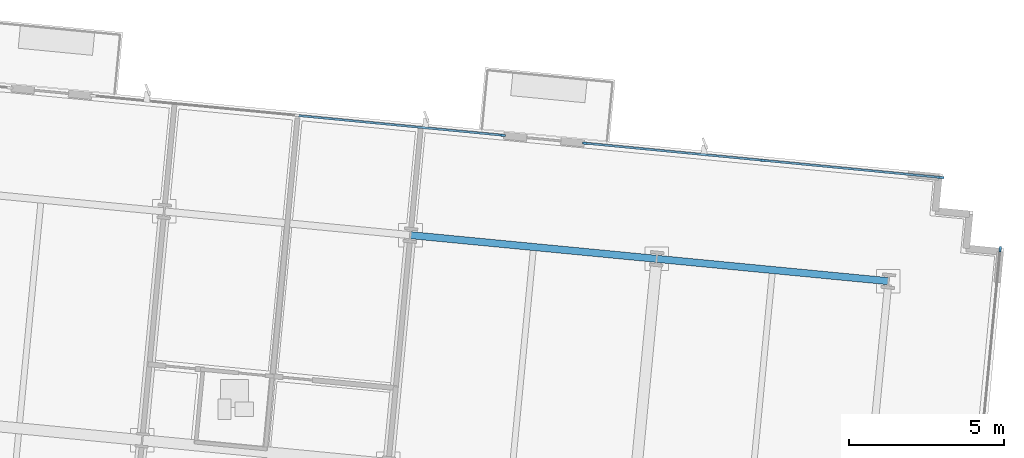
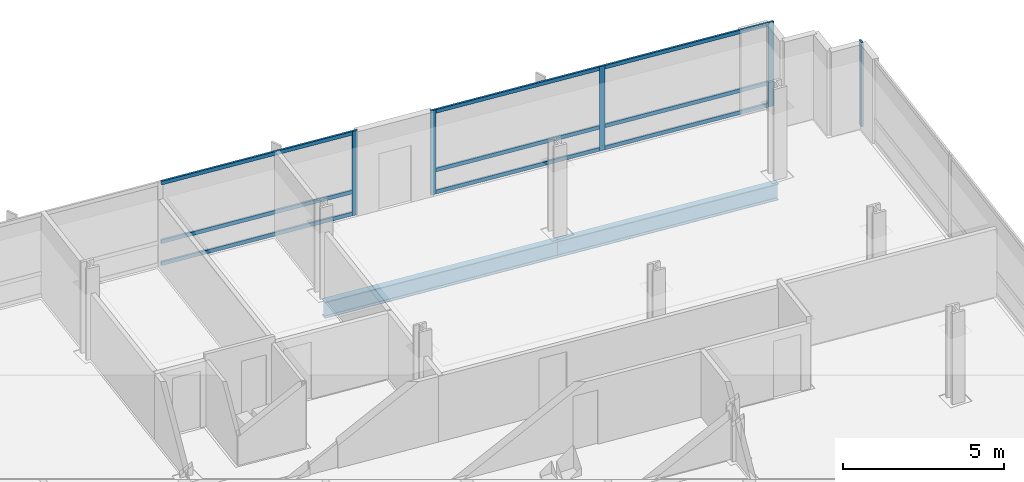
# One storey, part 8 of 17: 14 members, 2 beams, 3 elements without a shape of their own.
"""IFC4 building model written with IfcOpenShell, lengths in metres."""

import ifcopenshell
import ifcopenshell.guid

model = None  # the IFC model being written
_history = None  # IfcOwnerHistory: only IFC2X3 demands one
_inside = {}  # id of a spatial element -> (the spatial element, [elements in it])
_under = {}  # id of a project, library or spatial element -> (it, [spatial elements below it])
_declared = {}  # id of a project -> (the project, [libraries it declares])
_typed = {}  # id of a type object -> (the type object, [elements of that type])
_made_of = {}  # id of a material, layer set ... -> (it, [elements and type objects made of it])


def new_model(schema):
    """Start an empty IFC model of exactly this schema.

    Asked for "IFC4X3", IfcOpenShell would pick the latest addendum, in which some entities
    have other attributes; the version numbers below select the first issue.
    IFC2X3 requires an IfcOwnerHistory on every rooted entity: one is made here for all.
    """
    global model, _history
    if schema == "IFC4X3":
        model = ifcopenshell.file(schema_version=(4, 3, 0, 0))
    else:
        model = ifcopenshell.file(schema=schema)
    _inside.clear()
    _under.clear()
    _declared.clear()
    _typed.clear()
    _made_of.clear()
    _history = None
    if model.schema == "IFC2X3":
        org = make("IfcOrganization", Name="unknown")
        user = make(
            "IfcPersonAndOrganization",
            ThePerson=make("IfcPerson", FamilyName="unknown"),
            TheOrganization=org,
        )
        app = make(
            "IfcApplication",
            ApplicationDeveloper=org,
            Version="unknown",
            ApplicationFullName="unknown",
            ApplicationIdentifier="unknown",
        )
        _history = make(
            "IfcOwnerHistory",
            OwningUser=user,
            OwningApplication=app,
            ChangeAction="ADDED",
            CreationDate=0,
        )
    return model


def make(cls, **values):
    """One entity of the class cls with the attributes given. An attribute that is None is left unset."""
    return model.create_entity(
        cls, **{name: value for name, value in values.items() if value is not None}
    )


def rooted(cls, **values):
    """An entity with a GlobalId (a new one), such as an element, a storey or a relation."""
    return make(cls, GlobalId=ifcopenshell.guid.new(), OwnerHistory=_history, **values)


def si_unit(unit_type, name, prefix=None):
    """IfcSIUnit, for example si_unit("LENGTHUNIT", "METRE", prefix="MILLI")."""
    return make("IfcSIUnit", UnitType=unit_type, Prefix=prefix, Name=name)


def assignment(units):
    """IfcUnitAssignment: the units of a project."""
    return None if units is None else make("IfcUnitAssignment", Units=units)


def point(xyz):
    """IfcCartesianPoint."""
    return None if xyz is None else make("IfcCartesianPoint", Coordinates=xyz)


def direction(xyz):
    """IfcDirection."""
    return None if xyz is None else make("IfcDirection", DirectionRatios=xyz)


def frame(location, z_axis=None, x_axis=None):
    """IfcAxis2Placement3D, a coordinate frame: its origin and axes. An axis left out is left unset."""
    return make(
        "IfcAxis2Placement3D",
        Location=point(location),
        Axis=direction(z_axis),
        RefDirection=direction(x_axis),
    )


def frame_2d(location, x_axis=None):
    """IfcAxis2Placement2D, a coordinate frame in the plane: its origin and x axis."""
    return make(
        "IfcAxis2Placement2D", Location=point(location), RefDirection=direction(x_axis)
    )


def origin():
    """The frame at (0, 0, 0) with its axes left unset."""
    return frame((0.0, 0.0, 0.0))


def origin_2d():
    """The frame at (0, 0) in the plane with its x axis left unset."""
    return frame_2d((0.0, 0.0))


def place(relative_to, where):
    """IfcLocalPlacement: puts the frame where relative to a parent placement (None: the world)."""
    return make(
        "IfcLocalPlacement", PlacementRelTo=relative_to, RelativePlacement=where
    )


def context(
    kind, dimensions, precision=None, world=None, true_north=None, identifier=None
):
    """IfcGeometricRepresentationContext, for example the 3D "Model" context."""
    return make(
        "IfcGeometricRepresentationContext",
        ContextIdentifier=identifier,
        ContextType=kind,
        CoordinateSpaceDimension=dimensions,
        Precision=precision,
        WorldCoordinateSystem=world,
        TrueNorth=true_north,
    )


def subcontext(parent, identifier, kind, view, scale=None):
    """IfcGeometricRepresentationSubContext, for example "Body" below "Model"."""
    return make(
        "IfcGeometricRepresentationSubContext",
        ContextIdentifier=identifier,
        ContextType=kind,
        ParentContext=parent,
        TargetScale=scale,
        TargetView=view,
    )


def project(units=None, contexts=None):
    """IfcProject with its units and contexts."""
    return rooted(
        "IfcProject",
        Name="project",
        RepresentationContexts=contexts,
        UnitsInContext=assignment(units),
    )


def spatial(cls, under=None, at=None, **own):
    """A site, building, storey or space (cls), placed at a placement, below another one or the project."""
    s = rooted(cls, ObjectPlacement=at, **own)
    if under is not None:
        _under.setdefault(under.id(), (under, []))[1].append(s)
    return s


def profile(cls, at=None, kind="AREA", **sizes):
    """A parametric profile (cls). Its sizes go by their IFC names, for example OverallWidth=200.0."""
    return make(cls, ProfileType=kind, Position=at, **sizes)


def rectangle(**sizes):
    """IfcRectangleProfileDef."""
    return profile("IfcRectangleProfileDef", **sizes)


def i_section(**sizes):
    """IfcIShapeProfileDef."""
    return profile("IfcIShapeProfileDef", **sizes)


def extrude(swept, where, along, depth):
    """IfcExtrudedAreaSolid: the profile swept, set in the frame where, extruded along a direction by depth."""
    return make(
        "IfcExtrudedAreaSolid",
        SweptArea=swept,
        Position=where,
        ExtrudedDirection=direction(along),
        Depth=depth,
    )


def shape(context_of_items, identifier, shape_type, items):
    """IfcShapeRepresentation: the items that make up one representation, for example the "Body"."""
    return make(
        "IfcShapeRepresentation",
        ContextOfItems=context_of_items,
        RepresentationIdentifier=identifier,
        RepresentationType=shape_type,
        Items=items,
    )


def material(Name=None, Category=None):
    """IfcMaterial."""
    return make("IfcMaterial", Name=Name, Category=Category)


def material_profile(
    of_material, cross_section, Name=None, Category=None, Priority=None
):
    """IfcMaterialProfile: a cross section and its material."""
    return make(
        "IfcMaterialProfile",
        Name=Name,
        Material=of_material,
        Profile=cross_section,
        Priority=Priority,
        Category=Category,
    )


def profile_set(profiles, Name=None, composite=None):
    """IfcMaterialProfileSet."""
    return make(
        "IfcMaterialProfileSet",
        Name=Name,
        MaterialProfiles=profiles,
        CompositeProfile=composite,
    )


def made_of(thing, what):
    """Note that an element or type object is made of a material, layer set ...; save() writes the relation."""
    if what is not None:
        _made_of.setdefault(what.id(), (what, []))[1].append(thing)
    return thing


def type_object(cls, material=None, **own):
    """A type object (cls), such as IfcWallType, which elements share."""
    return made_of(rooted(cls, **own), material)


def element(
    cls,
    number,
    at=None,
    inside=None,
    cuts=None,
    type_object=None,
    material=None,
    context=None,
    identifier="Body",
    shape_type=None,
    held_by="IfcProductDefinitionShape",
    body=None,
    shapes=None,
    **own,
):
    """One element of the class cls, such as IfcWall. Its Tag is "e" and its number.

    at: its placement. inside: the storey or other place that contains it. cuts: it is an
    opening in that element (IfcRelVoidsElement). A single representation is given by context,
    identifier, shape_type and body (its items); several are given by shapes. held_by: the class
    of the entity that holds the representations. save() writes the other relations.
    """
    e = rooted(cls, Tag="e%d" % number, ObjectPlacement=at, **own)
    if body is not None:
        shapes = [shape(context, identifier, shape_type, body)]
    if shapes is not None:
        e.Representation = make(held_by, Representations=shapes)
    if inside is not None:
        _inside.setdefault(inside.id(), (inside, []))[1].append(e)
    if cuts is not None:
        rooted(
            "IfcRelVoidsElement", RelatingBuildingElement=cuts, RelatedOpeningElement=e
        )
    if type_object is not None:
        _typed.setdefault(type_object.id(), (type_object, []))[1].append(e)
    return made_of(e, material)


def aggregate(whole, parts):
    """IfcRelAggregates: a whole, such as a stair, and the parts it consists of."""
    return rooted("IfcRelAggregates", RelatingObject=whole, RelatedObjects=parts)


def save(model, path):
    """Write the relations noted so far, then the file.

    IfcRelAggregates (storeys below a building ...), IfcRelContainedInSpatialStructure (elements
    in a storey), IfcRelDefinesByType, IfcRelAssociatesMaterial and IfcRelDeclares: one each for
    every whole, place, type object, material and project.
    """
    for whole, parts in _under.values():
        aggregate(whole, parts)
    for where, things in _inside.values():
        rooted(
            "IfcRelContainedInSpatialStructure",
            RelatedElements=things,
            RelatingStructure=where,
        )
    for kind, things in _typed.values():
        rooted("IfcRelDefinesByType", RelatedObjects=things, RelatingType=kind)
    for what, things in _made_of.values():
        rooted("IfcRelAssociatesMaterial", RelatedObjects=things, RelatingMaterial=what)
    for by, libraries in _declared.values():
        rooted("IfcRelDeclares", RelatingContext=by, RelatedDefinitions=libraries)
    model.write(path)


model = new_model("IFC4")

# Units and contexts
model_context = context("Model", 3, precision=1e-05, world=origin(), true_north=direction((0.0, 1.0)))
body_context = subcontext(model_context, "Body", "Model", "MODEL_VIEW")
ifc_project = project(units=[si_unit("LENGTHUNIT", "METRE"), si_unit("AREAUNIT", "SQUARE_METRE"), si_unit("VOLUMEUNIT", "CUBIC_METRE"), si_unit("PLANEANGLEUNIT", "RADIAN"), si_unit("MASSUNIT", "GRAM", prefix="KILO")], contexts=[model_context])

# Site, building, storey
site_placement = place(None, origin())
site = spatial("IfcSite", under=ifc_project, at=site_placement, CompositionType="ELEMENT")
building_placement = place(site_placement, origin())
building = spatial("IfcBuilding", under=site, at=building_placement, Name="Solmavex Isthmus Hotel", CompositionType="ELEMENT")
storey_placement = place(building_placement, frame((0.0, 0.0, 156.60009765625)))
storey = spatial("IfcBuildingStorey", under=building, at=storey_placement, Name="L42", CompositionType="ELEMENT", Elevation=156.60009765625)

# Beams
ifc_material_1 = material(Name="Steel ASTM A992 Grade 50", Category="steel")
ifc_material_profile_1 = material_profile(ifc_material_1, i_section(OverallWidth=0.230224609375, OverallDepth=0.617431640625, WebThickness=0.01318359375, FlangeThickness=0.022216796875, FilletRadius=0.01513671875, at=origin_2d()), Name="W24X94")
ifc_profile_set_1 = profile_set([ifc_material_profile_1], Name="Steel ASTM A992 Grade 50")
beam_type = type_object("IfcBeamType", Name="BM-SP-W24X94", PredefinedType="SPANDREL", material=ifc_profile_set_1)
beam_1_placement = place(storey_placement, frame((9.1953125, 17.966552734375, -0.56884765625), z_axis=(0.995397440011, -0.095832856685, 0.0), x_axis=(0.095832856685, 0.995397440011, 0.0)))
element("IfcBeam", 1, at=beam_1_placement, inside=storey, type_object=beam_type, Name="Floor Girder L42-UG19", PredefinedType="SPANDREL", context=body_context, shape_type="SweptSolid", body=[
    extrude(i_section(OverallWidth=0.230224609375, OverallDepth=0.617431640625, WebThickness=0.01318359375, FlangeThickness=0.022216796875, FilletRadius=0.01513671875, at=origin_2d()), origin(), (0.0, 0.0, 1.0), 7.9560546875),
])
beam_2_placement = place(storey_placement, frame((17.11474609375, 17.2041015625, -0.56884765625), z_axis=(0.995395279593, -0.095855293875, 0.0), x_axis=(0.095855293875, 0.995395279593, 0.0)))
element("IfcBeam", 2, at=beam_2_placement, inside=storey, type_object=beam_type, Name="Floor Girder L42-UG20", PredefinedType="SPANDREL", context=body_context, shape_type="SweptSolid", body=[
    extrude(i_section(OverallWidth=0.230224609375, OverallDepth=0.617431640625, WebThickness=0.01318359375, FlangeThickness=0.022216796875, FilletRadius=0.01513671875, at=origin_2d()), origin(), (0.0, 0.0, 1.0), 7.488037109375),
])

# Curtain wall, member
ifc_material_2 = material(Name="Aluminium alloy 6063-T6", Category="aluminium")
curtain_wall_type = type_object("IfcCurtainWallType", Name="CW-SYS-03", PredefinedType="NOTDEFINED", material=ifc_material_2)
curtain_wall_1_placement = place(storey_placement, origin())
curtain_wall_1 = element("IfcCurtainWall", 3, at=curtain_wall_1_placement, inside=storey, type_object=curtain_wall_type, Name="Stick Curtain Wall CWL-L42-N2", PredefinedType="NOTDEFINED")
ifc_material_profile_2 = material_profile(ifc_material_2, rectangle(XDim=0.070068359375, YDim=0.179931640625, at=origin_2d()), Name="CWM-70X180")
ifc_profile_set_2 = profile_set([ifc_material_profile_2], Name="Aluminium alloy 6063-T6")
member_type_1 = type_object("IfcMemberType", Name="CW-SYS-03-MUL", PredefinedType="MULLION", material=ifc_profile_set_2)
member_1_placement = place(storey_placement, frame((12.15966796875, 21.17724609375, 0.0), z_axis=(0.0, 0.0, 1.0), x_axis=(0.095845138178, 0.995396257521, 0.0)))
member_1 = element("IfcMember", 4, at=member_1_placement, type_object=member_type_1, Name="CW-03 mullion 3", PredefinedType="MULLION", context=body_context, shape_type="SweptSolid", body=[
    extrude(rectangle(XDim=0.070068359375, YDim=0.179931640625, at=origin_2d()), origin(), (0.0, 0.0, 1.0), 3.18994140625),
])

# Curtain wall, members
curtain_wall_2_placement = place(storey_placement, origin())
curtain_wall_2 = element("IfcCurtainWall", 5, at=curtain_wall_2_placement, inside=storey, type_object=curtain_wall_type, Name="Stick Curtain Wall CWL-L42-N3", PredefinedType="NOTDEFINED")
member_2_placement = place(storey_placement, frame((14.8173828125, 20.92138671875, 0.0), z_axis=(0.0, 0.0, 1.0), x_axis=(0.095845603495, 0.995396212717, 0.0)))
member_2 = element("IfcMember", 6, at=member_2_placement, type_object=member_type_1, Name="CW-03 mullion 1", PredefinedType="MULLION", context=body_context, shape_type="SweptSolid", body=[
    extrude(rectangle(XDim=0.070068359375, YDim=0.179931640625, at=origin_2d()), origin(), (0.0, 0.0, 1.0), 3.18994140625),
])
member_3_placement = place(storey_placement, frame((20.5390625, 20.370361328125, 0.0), z_axis=(0.0, 0.0, 1.0), x_axis=(0.095845603495, 0.995396212717, 0.0)))
member_3 = element("IfcMember", 7, at=member_3_placement, type_object=member_type_1, Name="CW-03 mullion 2", PredefinedType="MULLION", context=body_context, shape_type="SweptSolid", body=[
    extrude(rectangle(XDim=0.070068359375, YDim=0.179931640625, at=origin_2d()), origin(), (0.0, 0.0, 1.0), 3.18994140625),
])
member_4_placement = place(storey_placement, frame((26.260498046875, 19.819580078125, 0.0), z_axis=(0.0, 0.0, 1.0), x_axis=(0.095845603495, 0.995396212717, 0.0)))
member_4 = element("IfcMember", 8, at=member_4_placement, type_object=member_type_1, Name="CW-03 mullion 3", PredefinedType="MULLION", context=body_context, shape_type="SweptSolid", body=[
    extrude(rectangle(XDim=0.070068359375, YDim=0.179931640625, at=origin_2d()), origin(), (0.0, 0.0, 1.0), 3.18994140625),
])

# Curtain wall, member
curtain_wall_3_placement = place(storey_placement, origin())
curtain_wall_3 = element("IfcCurtainWall", 9, at=curtain_wall_3_placement, inside=storey, type_object=curtain_wall_type, Name="Stick Curtain Wall CWL-L42-E1", PredefinedType="NOTDEFINED")
member_5_placement = place(storey_placement, frame((28.1630859375, 17.511474609375, 0.0), z_axis=(0.0, 0.0, 1.0), x_axis=(-0.995396190038, 0.09584583902, 0.0)))
member_5 = element("IfcMember", 10, at=member_5_placement, type_object=member_type_1, Name="CW-03 mullion 6", PredefinedType="MULLION", context=body_context, shape_type="SweptSolid", body=[
    extrude(rectangle(XDim=0.070068359375, YDim=0.179931640625, at=origin_2d()), origin(), (0.0, 0.0, 1.0), 3.18994140625),
])
aggregate(curtain_wall_3, [member_5])

# Member
ifc_material_profile_3 = material_profile(ifc_material_2, rectangle(XDim=0.070068359375, YDim=0.139892578125, at=origin_2d()), Name="CWT-70X140")
ifc_profile_set_3 = profile_set([ifc_material_profile_3], Name="Aluminium alloy 6063-T6")
member_type_2 = type_object("IfcMemberType", Name="CW-SYS-03-TRN", PredefinedType="USERDEFINED", material=ifc_profile_set_3)
member_6_placement = place(storey_placement, frame((5.60400390625, 21.808349609375, 0.06982421875), z_axis=(0.995399328313, -0.095813241224, 0.0), x_axis=(0.095813241224, 0.995399328313, 0.0)))
member_6 = element("IfcMember", 11, at=member_6_placement, type_object=member_type_2, Name="CW-03 transom 2.1", ObjectType="TRANSOM", PredefinedType="USERDEFINED", context=body_context, shape_type="SweptSolid", body=[
    extrude(rectangle(XDim=0.070068359375, YDim=0.139892578125, at=origin_2d()), origin(), (0.0, 0.0, 1.0), 6.551025390625),
])

member_7_placement = place(storey_placement, frame((5.60400390625, 21.808349609375, 0.89990234375), z_axis=(0.995399328313, -0.095813241224, 0.0), x_axis=(0.095813241224, 0.995399328313, 0.0)))
member_7 = element("IfcMember", 12, at=member_7_placement, type_object=member_type_2, Name="CW-03 transom 2.2", ObjectType="TRANSOM", PredefinedType="USERDEFINED", context=body_context, shape_type="SweptSolid", body=[
    extrude(rectangle(XDim=0.070068359375, YDim=0.139892578125, at=origin_2d()), origin(), (0.0, 0.0, 1.0), 6.551025390625),
])

member_8_placement = place(storey_placement, frame((5.60400390625, 21.808349609375, 3.119873046875), z_axis=(0.995399328313, -0.095813241224, 0.0), x_axis=(0.095813241224, 0.995399328313, 0.0)))
member_8 = element("IfcMember", 13, at=member_8_placement, type_object=member_type_2, Name="CW-03 transom 2.3", ObjectType="TRANSOM", PredefinedType="USERDEFINED", context=body_context, shape_type="SweptSolid", body=[
    extrude(rectangle(XDim=0.070068359375, YDim=0.139892578125, at=origin_2d()), origin(), (0.0, 0.0, 1.0), 6.551025390625),
])

aggregate(curtain_wall_1, [member_1, member_6, member_7, member_8])

member_9_placement = place(storey_placement, frame((14.852294921875, 20.91796875, 0.06982421875), z_axis=(0.995396573568, -0.095841855831, 0.0), x_axis=(0.095841855831, 0.995396573568, 0.0)))
member_9 = element("IfcMember", 14, at=member_9_placement, type_object=member_type_2, Name="CW-03 transom 1.1", ObjectType="TRANSOM", PredefinedType="USERDEFINED", context=body_context, shape_type="SweptSolid", body=[
    extrude(rectangle(XDim=0.070068359375, YDim=0.139892578125, at=origin_2d()), origin(), (0.0, 0.0, 1.0), 5.677978515625),
])

member_10_placement = place(storey_placement, frame((14.852294921875, 20.91796875, 0.89990234375), z_axis=(0.995396573568, -0.095841855831, 0.0), x_axis=(0.095841855831, 0.995396573568, 0.0)))
member_10 = element("IfcMember", 15, at=member_10_placement, type_object=member_type_2, Name="CW-03 transom 1.2", ObjectType="TRANSOM", PredefinedType="USERDEFINED", context=body_context, shape_type="SweptSolid", body=[
    extrude(rectangle(XDim=0.070068359375, YDim=0.139892578125, at=origin_2d()), origin(), (0.0, 0.0, 1.0), 5.677978515625),
])

member_11_placement = place(storey_placement, frame((14.852294921875, 20.91796875, 3.119873046875), z_axis=(0.995396573568, -0.095841855831, 0.0), x_axis=(0.095841855831, 0.995396573568, 0.0)))
member_11 = element("IfcMember", 16, at=member_11_placement, type_object=member_type_2, Name="CW-03 transom 1.3", ObjectType="TRANSOM", PredefinedType="USERDEFINED", context=body_context, shape_type="SweptSolid", body=[
    extrude(rectangle(XDim=0.070068359375, YDim=0.139892578125, at=origin_2d()), origin(), (0.0, 0.0, 1.0), 5.677978515625),
])

member_12_placement = place(storey_placement, frame((20.573974609375, 20.366943359375, 0.06982421875), z_axis=(0.995396573568, -0.095841855831, 0.0), x_axis=(0.095841855831, 0.995396573568, 0.0)))
member_12 = element("IfcMember", 17, at=member_12_placement, type_object=member_type_2, Name="CW-03 transom 2.1", ObjectType="TRANSOM", PredefinedType="USERDEFINED", context=body_context, shape_type="SweptSolid", body=[
    extrude(rectangle(XDim=0.070068359375, YDim=0.139892578125, at=origin_2d()), origin(), (0.0, 0.0, 1.0), 5.677978515625),
])

member_13_placement = place(storey_placement, frame((20.573974609375, 20.366943359375, 0.89990234375), z_axis=(0.995396573568, -0.095841855831, 0.0), x_axis=(0.095841855831, 0.995396573568, 0.0)))
member_13 = element("IfcMember", 18, at=member_13_placement, type_object=member_type_2, Name="CW-03 transom 2.2", ObjectType="TRANSOM", PredefinedType="USERDEFINED", context=body_context, shape_type="SweptSolid", body=[
    extrude(rectangle(XDim=0.070068359375, YDim=0.139892578125, at=origin_2d()), origin(), (0.0, 0.0, 1.0), 5.677978515625),
])

member_14_placement = place(storey_placement, frame((20.573974609375, 20.366943359375, 3.119873046875), z_axis=(0.995396573568, -0.095841855831, 0.0), x_axis=(0.095841855831, 0.995396573568, 0.0)))
member_14 = element("IfcMember", 19, at=member_14_placement, type_object=member_type_2, Name="CW-03 transom 2.3", ObjectType="TRANSOM", PredefinedType="USERDEFINED", context=body_context, shape_type="SweptSolid", body=[
    extrude(rectangle(XDim=0.070068359375, YDim=0.139892578125, at=origin_2d()), origin(), (0.0, 0.0, 1.0), 5.677978515625),
])

aggregate(curtain_wall_2, [member_2, member_3, member_4, member_9, member_10, member_11, member_12, member_13, member_14])

save(model, "model.ifc")
